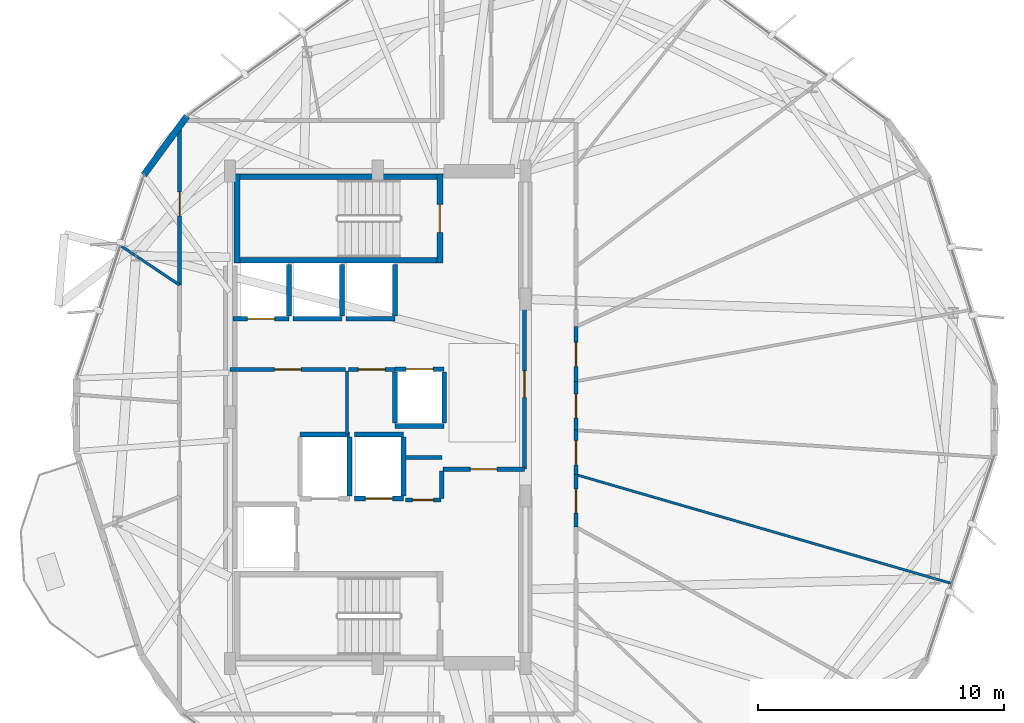
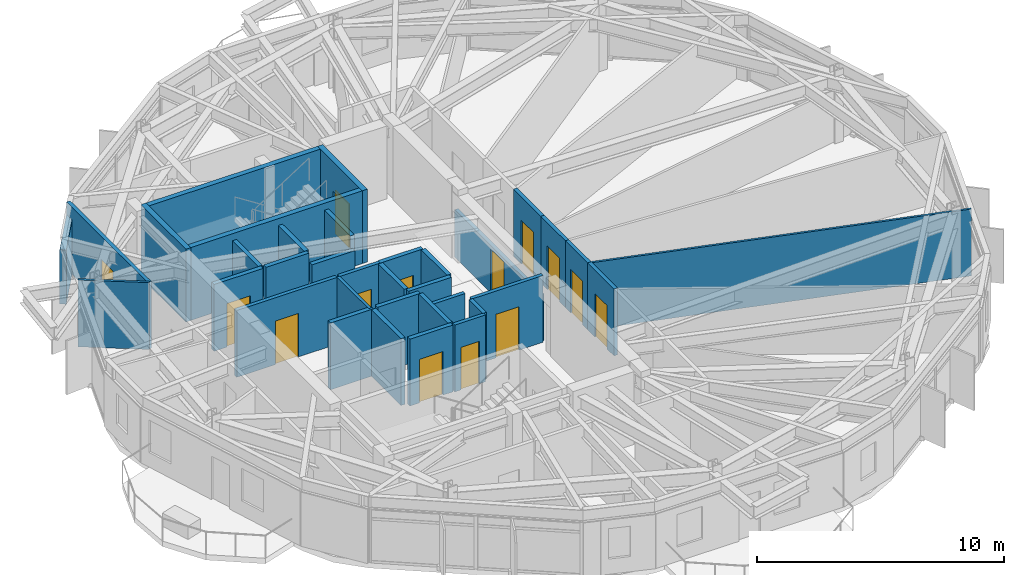
# One storey, part 18 of 24: 35 walls, 14 doors, 14 openings.
"""IFC4 building model written with IfcOpenShell, lengths in metres."""

from ifc_helpers import new_model, si_unit, direction, frame, frame_2d, origin, place, context, subcontext, project, spatial, rectangle, extrude, material, layer, layer_set, type_object, element, fill, save


model = new_model("IFC4")

# Units and contexts
model_context = context("Model", 3, precision=1e-05, world=origin(), true_north=direction((0.0, 1.0)))
body_context = subcontext(model_context, "Body", "Model", "MODEL_VIEW")
ifc_project = project(units=[si_unit("LENGTHUNIT", "METRE"), si_unit("AREAUNIT", "SQUARE_METRE"), si_unit("VOLUMEUNIT", "CUBIC_METRE"), si_unit("PLANEANGLEUNIT", "RADIAN"), si_unit("MASSUNIT", "GRAM", prefix="KILO")], contexts=[model_context])

# Site, building, storey
site_placement = place(None, origin())
site = spatial("IfcSite", under=ifc_project, at=site_placement, CompositionType="ELEMENT")
building_placement = place(site_placement, origin())
building = spatial("IfcBuilding", under=site, at=building_placement, Name="Soratama Intermodal Tower", CompositionType="ELEMENT")
storey_placement = place(building_placement, frame((0.0, 0.0, 164.199951171875)))
storey = spatial("IfcBuildingStorey", under=building, at=storey_placement, Name="L40", CompositionType="ELEMENT", Elevation=164.199951171875)

# Wall
ifc_material_1 = material(Name="Concrete f'c 42 MPa", Category="concrete")
ifc_layer_1 = layer(ifc_material_1, 0.27001953125)
ifc_layer_set_1 = layer_set([ifc_layer_1], Name="Concrete f'c 42 MPa")
wall_type_1 = type_object("IfcWallType", Name="EW-CRN-270", PredefinedType="SOLIDWALL", material=ifc_layer_set_1)
wall_1_placement = place(storey_placement, frame((30.8505859375, 37.234375, 0.0), z_axis=(0.0, 0.0, 1.0), x_axis=(-0.592030622016, -0.805915468641, 0.0)))
element("IfcWall", 1, at=wall_1_placement, inside=storey, type_object=wall_type_1, Name="L40 Corner Closure Wall 03", PredefinedType="SOLIDWALL", context=body_context, shape_type="SweptSolid", body=[
    extrude(rectangle(XDim=2.966552734375, YDim=0.27001953125, at=frame_2d((1.4833984375, 0.0))), origin(), (0.0, 0.0, 1.0), 2.678955078125),
])

# Wall, opening, door
ifc_material_2 = material(Name="Fire-rated gypsum stud partition", Category="concrete")
ifc_layer_2 = layer(ifc_material_2, 0.169921875)
ifc_layer_set_2 = layer_set([ifc_layer_2], Name="Fire-rated gypsum stud partition")
wall_type_2 = type_object("IfcWallType", Name="IW-PART-R170", PredefinedType="PARTITIONING", material=ifc_layer_set_2)
wall_2_placement = place(storey_placement, frame((44.56005859375, 29.800048828125, 0.0), z_axis=(0.0, 0.0, 1.0), x_axis=(0.0, -1.0, 0.0)))
wall_2 = element("IfcWall", 2, at=wall_2_placement, inside=storey, type_object=wall_type_2, Name="L40 Partition W-L40-TP012", PredefinedType="PARTITIONING", context=body_context, shape_type="SweptSolid", body=[
    extrude(rectangle(XDim=6.91015625, YDim=0.169921875, at=frame_2d((3.455078125, 0.0))), origin(), (0.0, 0.0, 1.0), 2.340087890625),
])
opening_1_placement = place(wall_2_placement, frame((2.9150390625, 0.0, 0.0)))
opening_1 = element("IfcOpeningElement", 3, at=opening_1_placement, cuts=wall_2, Name="Opening ID-1", PredefinedType="OPENING", context=body_context, shape_type="SweptSolid", body=[
    extrude(rectangle(XDim=1.080078125, YDim=2.14990234375, at=frame_2d((0.5400390625, 1.074951171875))), frame((0.0, 0.094970703125, 0.0), z_axis=(0.0, -1.0, 0.0), x_axis=(1.0, 0.0, 0.0)), (0.0, 0.0, 1.0), 0.18994140625),
])
ifc_material_3 = material(Name="Solid hardwood acoustic door", Category="wood")
door_type_1 = type_object("IfcDoorType", Name="DR-LOB-FD60", OperationType="NOTDEFINED", PredefinedType="DOOR", material=ifc_material_3)
door_1_placement = place(opening_1_placement, origin())
door_1 = element("IfcDoor", 4, at=door_1_placement, inside=storey, type_object=door_type_1, Name="L40 Door D-L40-TP003", OperationType="SINGLE_SWING_RIGHT", OverallHeight=2.14990234375, OverallWidth=1.080078125, PredefinedType="DOOR", context=body_context, shape_type="SweptSolid", body=[
    extrude(rectangle(XDim=1.080078125, YDim=2.14990234375, at=frame_2d((0.5400390625, 1.074951171875))), frame((0.0, 0.02490234375, 0.0), z_axis=(0.0, -1.0, 0.0), x_axis=(1.0, 0.0, 0.0)), (0.0, 0.0, 1.0), 0.050048828125),
])
fill(opening_1, door_1)

wall_3_placement = place(storey_placement, frame((30.550048828125, 30.3701171875, 0.0), z_axis=(0.0, 0.0, 1.0), x_axis=(0.0, 1.0, 0.0)))
wall_3 = element("IfcWall", 5, at=wall_3_placement, inside=storey, type_object=wall_type_2, Name="L40 Partition W-L40-TP014", PredefinedType="PARTITIONING", context=body_context, shape_type="SweptSolid", body=[
    extrude(rectangle(XDim=6.56689453125, YDim=0.169921875, at=frame_2d((3.283447265625, 0.0))), origin(), (0.0, 0.0, 1.0), 3.300048828125),
])
opening_2_placement = place(wall_3_placement, frame((2.80810546875, 0.0, 0.0)))
opening_2 = element("IfcOpeningElement", 6, at=opening_2_placement, cuts=wall_3, Name="Opening ID-5", PredefinedType="OPENING", context=body_context, shape_type="SweptSolid", body=[
    extrude(rectangle(XDim=0.97998046875, YDim=2.14990234375, at=frame_2d((0.489990234375, 1.074951171875))), frame((0.0, 0.094970703125, 0.0), z_axis=(0.0, -1.0, 0.0), x_axis=(1.0, 0.0, 0.0)), (0.0, 0.0, 1.0), 0.18994140625),
])
ifc_material_4 = material(Name="Solid hardwood acoustic door", Category="wood")
door_type_2 = type_object("IfcDoorType", Name="DR-OFF-980", OperationType="NOTDEFINED", PredefinedType="DOOR", material=ifc_material_4)
door_2_placement = place(opening_2_placement, origin())
door_2 = element("IfcDoor", 7, at=door_2_placement, inside=storey, type_object=door_type_2, Name="L40 Door D-L40-TP004", OperationType="SINGLE_SWING_LEFT", OverallHeight=2.14990234375, OverallWidth=0.97998046875, PredefinedType="DOOR", context=body_context, shape_type="SweptSolid", body=[
    extrude(rectangle(XDim=0.97998046875, YDim=2.14990234375, at=frame_2d((0.489990234375, 1.074951171875))), frame((0.0, 0.02490234375, 0.0), z_axis=(0.0, -1.0, 0.0), x_axis=(1.0, 0.0, 0.0)), (0.0, 0.0, 1.0), 0.050048828125),
])
fill(opening_2, door_2)

wall_4_placement = place(storey_placement, frame((37.2900390625, 26.93994140625, 0.0), z_axis=(0.0, 0.0, 1.0), x_axis=(-1.0, 0.0, 0.0)))
wall_4 = element("IfcWall", 8, at=wall_4_placement, inside=storey, type_object=wall_type_2, Name="L40 Partition W-L40-TP023", PredefinedType="PARTITIONING", context=body_context, shape_type="SweptSolid", body=[
    extrude(rectangle(XDim=4.68994140625, YDim=0.169921875, at=frame_2d((2.344970703125, 0.0))), origin(), (0.0, 0.0, 1.0), 3.300048828125),
])
opening_3_placement = place(wall_4_placement, frame((1.804931640625, 0.0, 0.0)))
opening_3 = element("IfcOpeningElement", 9, at=opening_3_placement, cuts=wall_4, Name="Opening ID-1", PredefinedType="OPENING", context=body_context, shape_type="SweptSolid", body=[
    extrude(rectangle(XDim=1.080078125, YDim=2.14990234375, at=frame_2d((0.5400390625, 1.074951171875))), frame((0.0, 0.094970703125, 0.0), z_axis=(0.0, -1.0, 0.0), x_axis=(1.0, 0.0, 0.0)), (0.0, 0.0, 1.0), 0.18994140625),
])
door_3_placement = place(opening_3_placement, origin())
door_3 = element("IfcDoor", 10, at=door_3_placement, inside=storey, type_object=door_type_1, Name="L40 Door D-L40-TP011", OperationType="SINGLE_SWING_RIGHT", OverallHeight=2.14990234375, OverallWidth=1.080078125, PredefinedType="DOOR", context=body_context, shape_type="SweptSolid", body=[
    extrude(rectangle(XDim=1.080078125, YDim=2.14990234375, at=frame_2d((0.5400390625, 1.074951171875))), frame((0.0, 0.02490234375, 0.0), z_axis=(0.0, -1.0, 0.0), x_axis=(1.0, 0.0, 0.0)), (0.0, 0.0, 1.0), 0.050048828125),
])
fill(opening_3, door_3)

wall_5_placement = place(storey_placement, frame((41.239990234375, 22.889892578125, 0.0), z_axis=(0.0, 0.0, 1.0), x_axis=(1.0, 0.0, 0.0)))
wall_5 = element("IfcWall", 11, at=wall_5_placement, inside=storey, type_object=wall_type_2, Name="L40 Partition W-L40-TP030", PredefinedType="PARTITIONING", context=body_context, shape_type="SweptSolid", body=[
    extrude(rectangle(XDim=3.320068359375, YDim=0.169921875, at=frame_2d((1.66015625, 0.0))), origin(), (0.0, 0.0, 1.0), 3.300048828125),
])
opening_4_placement = place(wall_5_placement, frame((1.1201171875, 0.0, 0.0)))
opening_4 = element("IfcOpeningElement", 12, at=opening_4_placement, cuts=wall_5, Name="Opening ID-0", PredefinedType="OPENING", context=body_context, shape_type="SweptSolid", body=[
    extrude(rectangle(XDim=1.080078125, YDim=2.14990234375, at=frame_2d((0.5400390625, 1.074951171875))), frame((0.0, 0.094970703125, 0.0), z_axis=(0.0, -1.0, 0.0), x_axis=(1.0, 0.0, 0.0)), (0.0, 0.0, 1.0), 0.18994140625),
])
ifc_material_5 = material(Name="Solid hardwood acoustic door", Category="wood")
door_type_3 = type_object("IfcDoorType", Name="DR-LOB-FD90", OperationType="NOTDEFINED", PredefinedType="DOOR", material=ifc_material_5)
door_4_placement = place(opening_4_placement, origin())
door_4 = element("IfcDoor", 13, at=door_4_placement, inside=storey, type_object=door_type_3, Name="L40 Door D-L40-TP015", OperationType="SINGLE_SWING_RIGHT", OverallHeight=2.14990234375, OverallWidth=1.080078125, PredefinedType="DOOR", context=body_context, shape_type="SweptSolid", body=[
    extrude(rectangle(XDim=1.080078125, YDim=2.14990234375, at=frame_2d((0.5400390625, 1.074951171875))), frame((0.0, 0.02490234375, 0.0), z_axis=(0.0, -1.0, 0.0), x_axis=(1.0, 0.0, 0.0)), (0.0, 0.0, 1.0), 0.050048828125),
])
fill(opening_4, door_4)

wall_6_placement = place(storey_placement, frame((46.64990234375, 28.677001953125, 0.0), z_axis=(0.0, 0.0, 1.0), x_axis=(0.0, -1.0, 0.0)))
wall_6 = element("IfcWall", 14, at=wall_6_placement, inside=storey, type_object=wall_type_2, Name="L40 Partition W-L40-TP038", PredefinedType="PARTITIONING", context=body_context, shape_type="SweptSolid", body=[
    extrude(rectangle(XDim=2.218994140625, YDim=0.169921875, at=frame_2d((1.109375, 0.0))), origin(), (0.0, 0.0, 1.0), 3.300048828125),
])
opening_5_placement = place(wall_6_placement, frame((0.635009765625, 0.0, 0.0)))
opening_5 = element("IfcOpeningElement", 15, at=opening_5_placement, cuts=wall_6, Name="Opening ID-5", PredefinedType="OPENING", context=body_context, shape_type="SweptSolid", body=[
    extrude(rectangle(XDim=0.97998046875, YDim=2.14990234375, at=frame_2d((0.489990234375, 1.074951171875))), frame((0.0, 0.094970703125, 0.0), z_axis=(0.0, -1.0, 0.0), x_axis=(1.0, 0.0, 0.0)), (0.0, 0.0, 1.0), 0.18994140625),
])
door_5_placement = place(opening_5_placement, origin())
door_5 = element("IfcDoor", 16, at=door_5_placement, inside=storey, type_object=door_type_2, Name="L40 Door D-L40-TP019", OperationType="SINGLE_SWING_RIGHT", OverallHeight=2.14990234375, OverallWidth=0.97998046875, PredefinedType="DOOR", context=body_context, shape_type="SweptSolid", body=[
    extrude(rectangle(XDim=0.97998046875, YDim=2.14990234375, at=frame_2d((0.489990234375, 1.074951171875))), frame((0.0, 0.02490234375, 0.0), z_axis=(0.0, -1.0, 0.0), x_axis=(1.0, 0.0, 0.0)), (0.0, 0.0, 1.0), 0.050048828125),
])
fill(opening_5, door_5)

wall_7_placement = place(storey_placement, frame((46.64990234375, 22.66796875, 0.0), z_axis=(0.0, 0.0, 1.0), x_axis=(0.0, -1.0, 0.0)))
wall_7 = element("IfcWall", 17, at=wall_7_placement, inside=storey, type_object=wall_type_2, Name="L40 Partition W-L40-TP039", PredefinedType="PARTITIONING", context=body_context, shape_type="SweptSolid", body=[
    extrude(rectangle(XDim=2.1259765625, YDim=0.169921875, at=frame_2d((1.06298828125, 0.0))), origin(), (0.0, 0.0, 1.0), 3.300048828125),
])
opening_6_placement = place(wall_7_placement, frame((0.587890625, 0.0, 0.0)))
opening_6 = element("IfcOpeningElement", 18, at=opening_6_placement, cuts=wall_7, Name="Opening ID-5", PredefinedType="OPENING", context=body_context, shape_type="SweptSolid", body=[
    extrude(rectangle(XDim=0.97998046875, YDim=2.14990234375, at=frame_2d((0.489990234375, 1.074951171875))), frame((0.0, 0.094970703125, 0.0), z_axis=(0.0, -1.0, 0.0), x_axis=(1.0, 0.0, 0.0)), (0.0, 0.0, 1.0), 0.18994140625),
])
door_6_placement = place(opening_6_placement, origin())
door_6 = element("IfcDoor", 19, at=door_6_placement, inside=storey, type_object=door_type_2, Name="L40 Door D-L40-TP020", OperationType="SINGLE_SWING_LEFT", OverallHeight=2.14990234375, OverallWidth=0.97998046875, PredefinedType="DOOR", context=body_context, shape_type="SweptSolid", body=[
    extrude(rectangle(XDim=0.97998046875, YDim=2.14990234375, at=frame_2d((0.489990234375, 1.074951171875))), frame((0.0, 0.02490234375, 0.0), z_axis=(0.0, -1.0, 0.0), x_axis=(1.0, 0.0, 0.0)), (0.0, 0.0, 1.0), 0.050048828125),
])
fill(opening_6, door_6)

wall_8_placement = place(storey_placement, frame((46.64990234375, 26.4580078125, 0.0), z_axis=(0.0, 0.0, 1.0), x_axis=(0.0, -1.0, 0.0)))
wall_8 = element("IfcWall", 20, at=wall_8_placement, inside=storey, type_object=wall_type_2, Name="L40 Partition W-L40-TP040", PredefinedType="PARTITIONING", context=body_context, shape_type="SweptSolid", body=[
    extrude(rectangle(XDim=1.98388671875, YDim=0.169921875, at=frame_2d((0.991943359375, 0.0))), origin(), (0.0, 0.0, 1.0), 3.300048828125),
])
opening_7_placement = place(wall_8_placement, frame((0.51708984375, 0.0, 0.0)))
opening_7 = element("IfcOpeningElement", 21, at=opening_7_placement, cuts=wall_8, Name="Opening ID-5", PredefinedType="OPENING", context=body_context, shape_type="SweptSolid", body=[
    extrude(rectangle(XDim=0.97998046875, YDim=2.14990234375, at=frame_2d((0.489990234375, 1.074951171875))), frame((0.0, 0.094970703125, 0.0), z_axis=(0.0, -1.0, 0.0), x_axis=(1.0, 0.0, 0.0)), (0.0, 0.0, 1.0), 0.18994140625),
])
door_7_placement = place(opening_7_placement, origin())
door_7 = element("IfcDoor", 22, at=door_7_placement, inside=storey, type_object=door_type_2, Name="L40 Door D-L40-TP021", OperationType="SINGLE_SWING_RIGHT", OverallHeight=2.14990234375, OverallWidth=0.97998046875, PredefinedType="DOOR", context=body_context, shape_type="SweptSolid", body=[
    extrude(rectangle(XDim=0.97998046875, YDim=2.14990234375, at=frame_2d((0.489990234375, 1.074951171875))), frame((0.0, 0.02490234375, 0.0), z_axis=(0.0, -1.0, 0.0), x_axis=(1.0, 0.0, 0.0)), (0.0, 0.0, 1.0), 0.050048828125),
])
fill(opening_7, door_7)

wall_9_placement = place(storey_placement, frame((39.300048828125, 26.93994140625, 0.0), z_axis=(0.0, 0.0, 1.0), x_axis=(-1.0, 0.0, 0.0)))
wall_9 = element("IfcWall", 23, at=wall_9_placement, inside=storey, type_object=wall_type_2, Name="L40 Partition W-L40-TP041", PredefinedType="PARTITIONING", context=body_context, shape_type="SweptSolid", body=[
    extrude(rectangle(XDim=1.89013671875, YDim=0.169921875, at=frame_2d((0.945068359375, 0.0))), origin(), (0.0, 0.0, 1.0), 3.300048828125),
])
opening_8_placement = place(wall_9_placement, frame((0.405029296875, 0.0, 0.0)))
opening_8 = element("IfcOpeningElement", 24, at=opening_8_placement, cuts=wall_9, Name="Opening ID-1", PredefinedType="OPENING", context=body_context, shape_type="SweptSolid", body=[
    extrude(rectangle(XDim=1.080078125, YDim=2.14990234375, at=frame_2d((0.5400390625, 1.074951171875))), frame((0.0, 0.094970703125, 0.0), z_axis=(0.0, -1.0, 0.0), x_axis=(1.0, 0.0, 0.0)), (0.0, 0.0, 1.0), 0.18994140625),
])
door_8_placement = place(opening_8_placement, origin())
door_8 = element("IfcDoor", 25, at=door_8_placement, inside=storey, type_object=door_type_1, Name="L40 Door D-L40-TP022", OperationType="SINGLE_SWING_LEFT", OverallHeight=2.14990234375, OverallWidth=1.080078125, PredefinedType="DOOR", context=body_context, shape_type="SweptSolid", body=[
    extrude(rectangle(XDim=1.080078125, YDim=2.14990234375, at=frame_2d((0.5400390625, 1.074951171875))), frame((0.0, 0.02490234375, 0.0), z_axis=(0.0, -1.0, 0.0), x_axis=(1.0, 0.0, 0.0)), (0.0, 0.0, 1.0), 0.050048828125),
])
fill(opening_8, door_8)

wall_10_placement = place(storey_placement, frame((46.64990234375, 24.47412109375, 0.0), z_axis=(0.0, 0.0, 1.0), x_axis=(0.0, -1.0, 0.0)))
wall_10 = element("IfcWall", 26, at=wall_10_placement, inside=storey, type_object=wall_type_2, Name="L40 Partition W-L40-TP042", PredefinedType="PARTITIONING", context=body_context, shape_type="SweptSolid", body=[
    extrude(rectangle(XDim=1.80615234375, YDim=0.169921875, at=frame_2d((0.903076171875, 0.0))), origin(), (0.0, 0.0, 1.0), 3.300048828125),
])
opening_9_placement = place(wall_10_placement, frame((0.427978515625, 0.0, 0.0)))
opening_9 = element("IfcOpeningElement", 27, at=opening_9_placement, cuts=wall_10, Name="Opening ID-5", PredefinedType="OPENING", context=body_context, shape_type="SweptSolid", body=[
    extrude(rectangle(XDim=0.97998046875, YDim=2.14990234375, at=frame_2d((0.489990234375, 1.074951171875))), frame((0.0, 0.094970703125, 0.0), z_axis=(0.0, -1.0, 0.0), x_axis=(1.0, 0.0, 0.0)), (0.0, 0.0, 1.0), 0.18994140625),
])
door_9_placement = place(opening_9_placement, origin())
door_9 = element("IfcDoor", 28, at=door_9_placement, inside=storey, type_object=door_type_2, Name="L40 Door D-L40-TP023", OperationType="SINGLE_SWING_RIGHT", OverallHeight=2.14990234375, OverallWidth=0.97998046875, PredefinedType="DOOR", context=body_context, shape_type="SweptSolid", body=[
    extrude(rectangle(XDim=0.97998046875, YDim=2.14990234375, at=frame_2d((0.489990234375, 1.074951171875))), frame((0.0, 0.02490234375, 0.0), z_axis=(0.0, -1.0, 0.0), x_axis=(1.0, 0.0, 0.0)), (0.0, 0.0, 1.0), 0.050048828125),
])
fill(opening_9, door_9)

wall_11_placement = place(storey_placement, frame((39.719970703125, 21.639892578125, 0.0), z_axis=(0.0, 0.0, 1.0), x_axis=(1.0, 0.0, 0.0)))
wall_11 = element("IfcWall", 29, at=wall_11_placement, inside=storey, type_object=wall_type_2, Name="L40 Partition W-L40-TP044", PredefinedType="PARTITIONING", context=body_context, shape_type="SweptSolid", body=[
    extrude(rectangle(XDim=1.43994140625, YDim=0.169921875, at=frame_2d((0.719970703125, 0.0))), origin(), (0.0, 0.0, 1.0), 3.300048828125),
])
opening_10_placement = place(wall_11_placement, frame((0.294921875, 0.0, 0.0)))
opening_10 = element("IfcOpeningElement", 30, at=opening_10_placement, cuts=wall_11, Name="Opening ID-4", PredefinedType="OPENING", context=body_context, shape_type="SweptSolid", body=[
    extrude(rectangle(XDim=0.85009765625, YDim=2.10009765625, at=frame_2d((0.425048828125, 1.050048828125))), frame((0.0, 0.094970703125, 0.0), z_axis=(0.0, -1.0, 0.0), x_axis=(1.0, 0.0, 0.0)), (0.0, 0.0, 1.0), 0.18994140625),
])
ifc_material_6 = material(Name="Solid hardwood acoustic door", Category="wood")
door_type_4 = type_object("IfcDoorType", Name="DR-BATH-850", OperationType="NOTDEFINED", PredefinedType="DOOR", material=ifc_material_6)
door_10_placement = place(opening_10_placement, origin())
door_10 = element("IfcDoor", 31, at=door_10_placement, inside=storey, type_object=door_type_4, Name="L40 Door D-L40-TP024", OperationType="SINGLE_SWING_LEFT", OverallHeight=2.10009765625, OverallWidth=0.85009765625, PredefinedType="DOOR", context=body_context, shape_type="SweptSolid", body=[
    extrude(rectangle(XDim=0.85009765625, YDim=2.10009765625, at=frame_2d((0.425048828125, 1.050048828125))), frame((0.0, 0.02490234375, 0.0), z_axis=(0.0, -1.0, 0.0), x_axis=(1.0, 0.0, 0.0)), (0.0, 0.0, 1.0), 0.050048828125),
])
fill(opening_10, door_10)

# Walls
wall_12_placement = place(storey_placement, frame((41.199951171875, 21.699951171875, 0.0), z_axis=(0.0, 0.0, 1.0), x_axis=(0.0, 1.0, 0.0)))
element("IfcWall", 32, at=wall_12_placement, inside=storey, type_object=wall_type_2, Name="L40 Partition W-L40-TP045", PredefinedType="PARTITIONING", context=body_context, shape_type="SweptSolid", body=[
    extrude(rectangle(XDim=1.1201171875, YDim=0.169921875, at=frame_2d((0.56005859375, 0.0))), origin(), (0.0, 0.0, 1.0), 3.300048828125),
])
wall_13_placement = place(storey_placement, frame((41.199951171875, 23.360107421875, 0.0), z_axis=(0.0, 0.0, 1.0), x_axis=(-1.0, 0.0, 0.0)))
element("IfcWall", 33, at=wall_13_placement, inside=storey, type_object=wall_type_2, Name="L40 Partition W-L40-TP048", PredefinedType="PARTITIONING", context=body_context, shape_type="SweptSolid", body=[
    extrude(rectangle(XDim=1.47998046875, YDim=0.169921875, at=frame_2d((0.739990234375, 0.0))), origin(), (0.0, 0.0, 1.0), 3.300048828125),
])
ifc_material_7 = material(Name="Fire-rated gypsum stud partition", Category="concrete")
ifc_layer_3 = layer(ifc_material_7, 0.10009765625)
ifc_layer_set_3 = layer_set([ifc_layer_3], Name="Fire-rated gypsum stud partition")
wall_type_3 = type_object("IfcWallType", Name="IW-PART-S100", PredefinedType="PARTITIONING", material=ifc_layer_set_3)
wall_14_placement = place(storey_placement, frame((46.64990234375, 22.66796875, 0.0), z_axis=(0.0, 0.0, 1.0), x_axis=(0.960497233725, -0.278289532694, 0.0)))
element("IfcWall", 34, at=wall_14_placement, inside=storey, type_object=wall_type_3, Name="L40 Partition W-L40-TP003", PredefinedType="PARTITIONING", context=body_context, shape_type="SweptSolid", body=[
    extrude(rectangle(XDim=15.904296875, YDim=0.10009765625, at=frame_2d((7.9521484375, 0.0))), origin(), (0.0, 0.0, 1.0), 3.300048828125),
])
ifc_material_8 = material(Name="Fire-rated gypsum stud partition", Category="concrete")
ifc_layer_4 = layer(ifc_material_8, 0.110107421875)
ifc_layer_set_4 = layer_set([ifc_layer_4], Name="Fire-rated gypsum stud partition")
wall_type_4 = type_object("IfcWallType", Name="IW-PART-S110", PredefinedType="PARTITIONING", material=ifc_layer_set_4)
wall_15_placement = place(storey_placement, frame((30.550048828125, 30.3701171875, 0.0), z_axis=(0.0, 0.0, 1.0), x_axis=(-0.831686283876, 0.555245824129, 0.0)))
element("IfcWall", 35, at=wall_15_placement, inside=storey, type_object=wall_type_4, Name="L40 Partition W-L40-TP032", PredefinedType="PARTITIONING", context=body_context, shape_type="SweptSolid", body=[
    extrude(rectangle(XDim=2.890625, YDim=0.110107421875, at=frame_2d((1.4453125, 0.0))), origin(), (0.0, 0.0, 1.0), 3.300048828125),
])
ifc_material_9 = material(Name="Fire-rated gypsum stud partition", Category="concrete")
ifc_layer_5 = layer(ifc_material_9, 0.1298828125)
ifc_layer_set_5 = layer_set([ifc_layer_5], Name="Fire-rated gypsum stud partition")
wall_type_5 = type_object("IfcWallType", Name="IW-PART-S130", PredefinedType="PARTITIONING", material=ifc_layer_set_5)
wall_16_placement = place(storey_placement, frame((37.35009765625, 26.8798828125, 0.0), z_axis=(0.0, 0.0, 1.0), x_axis=(0.0, -1.0, 0.0)))
element("IfcWall", 36, at=wall_16_placement, inside=storey, type_object=wall_type_5, Name="L40 Partition W-L40-TP035", PredefinedType="PARTITIONING", context=body_context, shape_type="SweptSolid", body=[
    extrude(rectangle(XDim=2.579833984375, YDim=0.1298828125, at=frame_2d((1.2900390625, 0.0))), origin(), (0.0, 0.0, 1.0), 3.300048828125),
])
ifc_material_10 = material(Name="Concrete f'c 42 MPa", Category="concrete")
ifc_layer_6 = layer(ifc_material_10, 0.199951171875)
ifc_layer_set_6 = layer_set([ifc_layer_6], Name="Concrete f'c 42 MPa")
wall_type_6 = type_object("IfcWallType", Name="IW-SHAFT-200", PredefinedType="SOLIDWALL", material=ifc_layer_set_6)
wall_17_placement = place(storey_placement, frame((35.449951171875, 24.300048828125, 0.0), z_axis=(0.0, 0.0, 1.0), x_axis=(1.0, 0.0, 0.0)))
element("IfcWall", 37, at=wall_17_placement, inside=storey, type_object=wall_type_6, Name="L40 FFL-1 Hoistway Wall N", PredefinedType="SOLIDWALL", context=body_context, shape_type="SweptSolid", body=[
    extrude(rectangle(XDim=2.0, YDim=0.199951171875, at=frame_2d((1.0, 0.0))), origin(), (0.0, 0.0, 1.0), 3.300048828125),
])
wall_18_placement = place(storey_placement, frame((37.449951171875, 21.81005859375, 0.0), z_axis=(0.0, 0.0, 1.0), x_axis=(0.0, 1.0, 0.0)))
element("IfcWall", 38, at=wall_18_placement, inside=storey, type_object=wall_type_6, Name="L40 FFL-1 Hoistway Wall E", PredefinedType="SOLIDWALL", context=body_context, shape_type="SweptSolid", body=[
    extrude(rectangle(XDim=2.3798828125, YDim=0.199951171875, at=frame_2d((1.18994140625, 0.0))), origin(), (0.0, 0.0, 1.0), 3.300048828125),
])

# Wall, opening, door
wall_19_placement = place(storey_placement, frame((37.64990234375, 21.699951171875, 0.0), z_axis=(0.0, 0.0, 1.0), x_axis=(1.0, 0.0, 0.0)))
wall_19 = element("IfcWall", 39, at=wall_19_placement, inside=storey, type_object=wall_type_6, Name="L40 FFL-2 Hoistway Wall S", PredefinedType="SOLIDWALL", context=body_context, shape_type="SweptSolid", body=[
    extrude(rectangle(XDim=2.0, YDim=0.199951171875, at=frame_2d((1.0, 0.0))), origin(), (0.0, 0.0, 1.0), 3.300048828125),
])
opening_11_placement = place(wall_19_placement, frame((0.449951171875, 0.0, 0.0)))
opening_11 = element("IfcOpeningElement", 40, at=opening_11_placement, cuts=wall_19, Name="Opening LD-1", PredefinedType="OPENING", context=body_context, shape_type="SweptSolid", body=[
    extrude(rectangle(XDim=1.10009765625, YDim=2.14990234375, at=frame_2d((0.550048828125, 1.074951171875))), frame((0.0, 0.10986328125, 0.0), z_axis=(0.0, -1.0, 0.0), x_axis=(1.0, 0.0, 0.0)), (0.0, 0.0, 1.0), 0.219970703125),
])
ifc_material_11 = material(Name="Steel fire door", Category="steel")
door_type_5 = type_object("IfcDoorType", Name="DR-LIFT-SLIDE", OperationType="NOTDEFINED", PredefinedType="DOOR", material=ifc_material_11)
door_11_placement = place(opening_11_placement, origin())
door_11 = element("IfcDoor", 41, at=door_11_placement, inside=storey, type_object=door_type_5, Name="L40 FFL-2 Sliding Landing Door", OperationType="SLIDING_TO_LEFT", OverallHeight=2.14990234375, OverallWidth=1.10009765625, PredefinedType="DOOR", context=body_context, shape_type="SweptSolid", body=[
    extrude(rectangle(XDim=1.10009765625, YDim=2.14990234375, at=frame_2d((0.550048828125, 1.074951171875))), frame((0.0, 0.02490234375, 0.0), z_axis=(0.0, -1.0, 0.0), x_axis=(1.0, 0.0, 0.0)), (0.0, 0.0, 1.0), 0.050048828125),
])
fill(opening_11, door_11)

# Walls
wall_20_placement = place(storey_placement, frame((37.64990234375, 24.300048828125, 0.0), z_axis=(0.0, 0.0, 1.0), x_axis=(1.0, 0.0, 0.0)))
element("IfcWall", 42, at=wall_20_placement, inside=storey, type_object=wall_type_6, Name="L40 FFL-2 Hoistway Wall N", PredefinedType="SOLIDWALL", context=body_context, shape_type="SweptSolid", body=[
    extrude(rectangle(XDim=2.0, YDim=0.199951171875, at=frame_2d((1.0, 0.0))), origin(), (0.0, 0.0, 1.0), 3.300048828125),
])
wall_21_placement = place(storey_placement, frame((39.64990234375, 21.81005859375, 0.0), z_axis=(0.0, 0.0, 1.0), x_axis=(0.0, 1.0, 0.0)))
element("IfcWall", 43, at=wall_21_placement, inside=storey, type_object=wall_type_6, Name="L40 FFL-2 Hoistway Wall E", PredefinedType="SOLIDWALL", context=body_context, shape_type="SweptSolid", body=[
    extrude(rectangle(XDim=2.3798828125, YDim=0.199951171875, at=frame_2d((1.18994140625, 0.0))), origin(), (0.0, 0.0, 1.0), 3.300048828125),
])
wall_22_placement = place(storey_placement, frame((39.300048828125, 24.64990234375, 0.0), z_axis=(0.0, 0.0, 1.0), x_axis=(1.0, 0.0, 0.0)))
element("IfcWall", 44, at=wall_22_placement, inside=storey, type_object=wall_type_6, Name="L40 PL-M1 Hoistway Wall S", PredefinedType="SOLIDWALL", context=body_context, shape_type="SweptSolid", body=[
    extrude(rectangle(XDim=2.0, YDim=0.199951171875, at=frame_2d((1.0, 0.0))), origin(), (0.0, 0.0, 1.0), 3.300048828125),
])

# Wall, opening, door
wall_23_placement = place(storey_placement, frame((39.300048828125, 26.949951171875, 0.0), z_axis=(0.0, 0.0, 1.0), x_axis=(1.0, 0.0, 0.0)))
wall_23 = element("IfcWall", 45, at=wall_23_placement, inside=storey, type_object=wall_type_6, Name="L40 PL-M1 Hoistway Wall N", PredefinedType="SOLIDWALL", context=body_context, shape_type="SweptSolid", body=[
    extrude(rectangle(XDim=2.0, YDim=0.199951171875, at=frame_2d((1.0, 0.0))), origin(), (0.0, 0.0, 1.0), 3.300048828125),
])
opening_12_placement = place(wall_23_placement, frame((0.449951171875, 0.0, 0.0)))
opening_12 = element("IfcOpeningElement", 46, at=opening_12_placement, cuts=wall_23, Name="Opening LD-1", PredefinedType="OPENING", context=body_context, shape_type="SweptSolid", body=[
    extrude(rectangle(XDim=1.10009765625, YDim=2.14990234375, at=frame_2d((0.550048828125, 1.074951171875))), frame((0.0, 0.10986328125, 0.0), z_axis=(0.0, -1.0, 0.0), x_axis=(1.0, 0.0, 0.0)), (0.0, 0.0, 1.0), 0.219970703125),
])
door_12_placement = place(opening_12_placement, origin())
door_12 = element("IfcDoor", 47, at=door_12_placement, inside=storey, type_object=door_type_5, Name="L40 PL-M1 Sliding Landing Door", OperationType="SLIDING_TO_LEFT", OverallHeight=2.14990234375, OverallWidth=1.10009765625, PredefinedType="DOOR", context=body_context, shape_type="SweptSolid", body=[
    extrude(rectangle(XDim=1.10009765625, YDim=2.14990234375, at=frame_2d((0.550048828125, 1.074951171875))), frame((0.0, 0.02490234375, 0.0), z_axis=(0.0, -1.0, 0.0), x_axis=(1.0, 0.0, 0.0)), (0.0, 0.0, 1.0), 0.050048828125),
])
fill(opening_12, door_12)

# Walls
for number, where, z_axis, x_axis, name in (
    (48, (39.300048828125, 24.760009765625, 0.0), (0.0, 0.0, 1.0), (0.0, 1.0, 0.0), "L40 PL-M1 Hoistway Wall W"),
    (49, (41.300048828125, 24.760009765625, 0.0), (0.0, 0.0, 1.0), (0.0, 1.0, 0.0), "L40 PL-M1 Hoistway Wall E"),
):
    element("IfcWall", number, at=place(storey_placement, frame(where, z_axis=z_axis, x_axis=x_axis)), inside=storey, type_object=wall_type_6, Name=name, PredefinedType="SOLIDWALL", context=body_context, shape_type="SweptSolid", body=[
        extrude(rectangle(XDim=2.080078125, YDim=0.199951171875, at=frame_2d((1.0400390625, 0.0))), origin(), (0.0, 0.0, 1.0), 3.300048828125),
    ])

# Wall, opening, door
wall_24_placement = place(storey_placement, frame((32.719970703125, 29.0, 0.0), z_axis=(0.0, 0.0, 1.0), x_axis=(1.0, 0.0, 0.0)))
wall_24 = element("IfcWall", 50, at=wall_24_placement, inside=storey, type_object=wall_type_6, Name="L40 PL-M2 Hoistway Wall S", PredefinedType="SOLIDWALL", context=body_context, shape_type="SweptSolid", body=[
    extrude(rectangle(XDim=2.280029296875, YDim=0.199951171875, at=frame_2d((1.14013671875, 0.0))), origin(), (0.0, 0.0, 1.0), 3.300048828125),
])
opening_13_placement = place(wall_24_placement, frame((0.590087890625, 0.0, 0.0)))
opening_13 = element("IfcOpeningElement", 51, at=opening_13_placement, cuts=wall_24, Name="Opening LD-1", PredefinedType="OPENING", context=body_context, shape_type="SweptSolid", body=[
    extrude(rectangle(XDim=1.10009765625, YDim=2.14990234375, at=frame_2d((0.550048828125, 1.074951171875))), frame((0.0, 0.10986328125, 0.0), z_axis=(0.0, -1.0, 0.0), x_axis=(1.0, 0.0, 0.0)), (0.0, 0.0, 1.0), 0.219970703125),
])
door_13_placement = place(opening_13_placement, origin())
door_13 = element("IfcDoor", 52, at=door_13_placement, inside=storey, type_object=door_type_5, Name="L40 PL-M2 Sliding Landing Door", OperationType="SLIDING_TO_LEFT", OverallHeight=2.14990234375, OverallWidth=1.10009765625, PredefinedType="DOOR", context=body_context, shape_type="SweptSolid", body=[
    extrude(rectangle(XDim=1.10009765625, YDim=2.14990234375, at=frame_2d((0.550048828125, 1.074951171875))), frame((0.0, 0.02490234375, 0.0), z_axis=(0.0, -1.0, 0.0), x_axis=(1.0, 0.0, 0.0)), (0.0, 0.0, 1.0), 0.050048828125),
])
fill(opening_13, door_13)

# Walls
wall_25_placement = place(storey_placement, frame((35.0, 29.110107421875, 0.0), z_axis=(0.0, 0.0, 1.0), x_axis=(0.0, 1.0, 0.0)))
element("IfcWall", 53, at=wall_25_placement, inside=storey, type_object=wall_type_6, Name="L40 PL-M2 Hoistway Wall E", PredefinedType="SOLIDWALL", context=body_context, shape_type="SweptSolid", body=[
    extrude(rectangle(XDim=2.099853515625, YDim=0.199951171875, at=frame_2d((1.0498046875, 0.0))), origin(), (0.0, 0.0, 1.0), 3.300048828125),
])
wall_26_placement = place(storey_placement, frame((35.14990234375, 29.0, 0.0), z_axis=(0.0, 0.0, 1.0), x_axis=(1.0, 0.0, 0.0)))
element("IfcWall", 54, at=wall_26_placement, inside=storey, type_object=wall_type_6, Name="L40 PL-H1 Hoistway Wall S", PredefinedType="SOLIDWALL", context=body_context, shape_type="SweptSolid", body=[
    extrude(rectangle(XDim=2.0, YDim=0.199951171875, at=frame_2d((1.0, 0.0))), origin(), (0.0, 0.0, 1.0), 3.300048828125),
])
wall_27_placement = place(storey_placement, frame((37.14990234375, 29.110107421875, 0.0), z_axis=(0.0, 0.0, 1.0), x_axis=(0.0, 1.0, 0.0)))
element("IfcWall", 55, at=wall_27_placement, inside=storey, type_object=wall_type_6, Name="L40 PL-H1 Hoistway Wall E", PredefinedType="SOLIDWALL", context=body_context, shape_type="SweptSolid", body=[
    extrude(rectangle(XDim=2.099853515625, YDim=0.199951171875, at=frame_2d((1.0498046875, 0.0))), origin(), (0.0, 0.0, 1.0), 3.300048828125),
])
wall_28_placement = place(storey_placement, frame((37.300048828125, 29.0, 0.0), z_axis=(0.0, 0.0, 1.0), x_axis=(1.0, 0.0, 0.0)))
element("IfcWall", 56, at=wall_28_placement, inside=storey, type_object=wall_type_6, Name="L40 PL-H2 Hoistway Wall S", PredefinedType="SOLIDWALL", context=body_context, shape_type="SweptSolid", body=[
    extrude(rectangle(XDim=2.0, YDim=0.199951171875, at=frame_2d((1.0, 0.0))), origin(), (0.0, 0.0, 1.0), 2.674072265625),
])
wall_29_placement = place(storey_placement, frame((39.300048828125, 29.110107421875, 0.0), z_axis=(0.0, 0.0, 1.0), x_axis=(0.0, 1.0, 0.0)))
element("IfcWall", 57, at=wall_29_placement, inside=storey, type_object=wall_type_6, Name="L40 PL-H2 Hoistway Wall E", PredefinedType="SOLIDWALL", context=body_context, shape_type="SweptSolid", body=[
    extrude(rectangle(XDim=2.099853515625, YDim=0.199951171875, at=frame_2d((1.0498046875, 0.0))), origin(), (0.0, 0.0, 1.0), 3.300048828125),
])
ifc_material_12 = material(Name="Concrete f'c 56 MPa", Category="concrete")
ifc_layer_7 = layer(ifc_material_12, 0.239990234375)
ifc_layer_set_7 = layer_set([ifc_layer_7], Name="Concrete f'c 56 MPa")
wall_type_7 = type_object("IfcWallType", Name="SW-STAIR-240", PredefinedType="SHEAR", material=ifc_layer_set_7)
wall_30_placement = place(storey_placement, frame((32.8798828125, 31.260009765625, 0.0), z_axis=(0.0, 0.0, 1.0), x_axis=(0.0, 1.0, 0.0)))
element("IfcWall", 58, at=wall_30_placement, inside=storey, type_object=wall_type_7, Name="L40 ST-2 Shaft Shear Wall W", PredefinedType="SHEAR", context=body_context, shape_type="SweptSolid", body=[
    extrude(rectangle(XDim=3.6298828125, YDim=0.239990234375, at=frame_2d((1.81494140625, 0.0))), origin(), (0.0, 0.0, 1.0), 3.60009765625),
])

# Wall, opening, door
wall_31_placement = place(storey_placement, frame((41.1201171875, 31.260009765625, 0.0), z_axis=(0.0, 0.0, 1.0), x_axis=(0.0, 1.0, 0.0)))
wall_31 = element("IfcWall", 59, at=wall_31_placement, inside=storey, type_object=wall_type_7, Name="L40 ST-2 Shaft Shear Wall E", PredefinedType="SHEAR", context=body_context, shape_type="SweptSolid", body=[
    extrude(rectangle(XDim=3.6298828125, YDim=0.239990234375, at=frame_2d((1.81494140625, 0.0))), origin(), (0.0, 0.0, 1.0), 3.60009765625),
])
opening_14_placement = place(wall_31_placement, frame((1.2548828125, 0.0, 0.0)))
opening_14 = element("IfcOpeningElement", 60, at=opening_14_placement, cuts=wall_31, Name="Opening SD-1", PredefinedType="OPENING", context=body_context, shape_type="SweptSolid", body=[
    extrude(rectangle(XDim=1.1201171875, YDim=2.14990234375, at=frame_2d((0.56005859375, 1.074951171875))), frame((0.0, 0.1298828125, 0.0), z_axis=(0.0, -1.0, 0.0), x_axis=(1.0, 0.0, 0.0)), (0.0, 0.0, 1.0), 0.260009765625),
])
ifc_material_13 = material(Name="Steel fire door", Category="steel")
door_type_6 = type_object("IfcDoorType", Name="DR-STAIR-FD90", OperationType="NOTDEFINED", PredefinedType="DOOR", material=ifc_material_13)
door_14_placement = place(opening_14_placement, origin())
door_14 = element("IfcDoor", 61, at=door_14_placement, inside=storey, type_object=door_type_6, Name="L40 ST-2 Exit Stair Door", OperationType="SINGLE_SWING_RIGHT", OverallHeight=2.14990234375, OverallWidth=1.1201171875, PredefinedType="DOOR", context=body_context, shape_type="SweptSolid", body=[
    extrude(rectangle(XDim=1.1201171875, YDim=2.14990234375, at=frame_2d((0.56005859375, 1.074951171875))), frame((0.0, 0.02490234375, 0.0), z_axis=(0.0, -1.0, 0.0), x_axis=(1.0, 0.0, 0.0)), (0.0, 0.0, 1.0), 0.050048828125),
])
fill(opening_14, door_14)

# Walls
for number, where, z_axis, x_axis, name in (
    (62, (33.0, 31.3798828125, 0.0), (0.0, 0.0, 1.0), (1.0, 0.0, 0.0), "L40 ST-2 Shaft Shear Wall S"),
    (63, (33.0, 34.77001953125, 0.0), (0.0, 0.0, 1.0), (1.0, 0.0, 0.0), "L40 ST-2 Shaft Shear Wall N"),
):
    element("IfcWall", number, at=place(storey_placement, frame(where, z_axis=z_axis, x_axis=x_axis)), inside=storey, type_object=wall_type_7, Name=name, PredefinedType="SHEAR", context=body_context, shape_type="SweptSolid", body=[
        extrude(rectangle(XDim=8.0, YDim=0.239990234375, at=frame_2d((4.0, 0.0))), origin(), (0.0, 0.0, 1.0), 3.60009765625),
    ])

save(model, "model.ifc")
